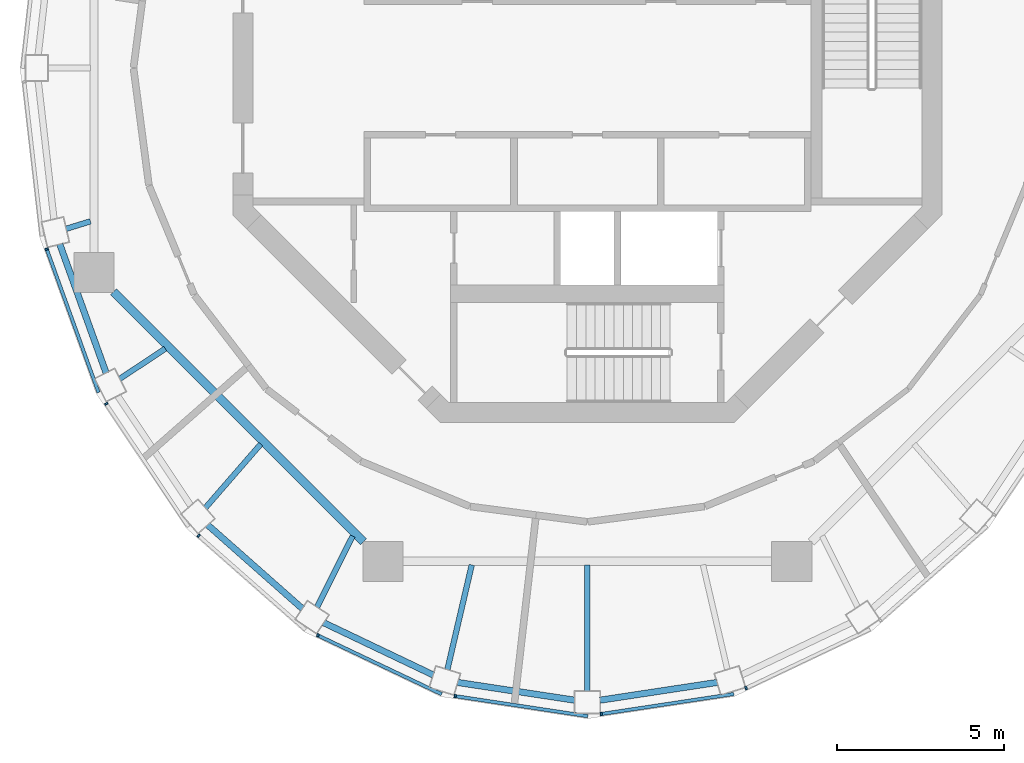
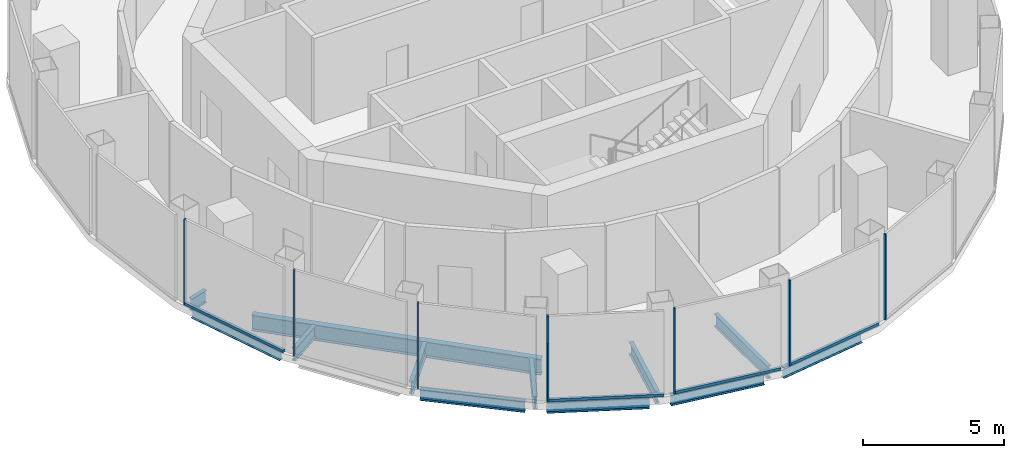
# One storey, part 2 of 11: 12 beams, 11 members, 7 elements without a shape of their own.
"""IFC4 building model written with IfcOpenShell, lengths in metres."""

import ifcopenshell
import ifcopenshell.guid

model = None  # the IFC model being written
_history = None  # IfcOwnerHistory: only IFC2X3 demands one
_inside = {}  # id of a spatial element -> (the spatial element, [elements in it])
_under = {}  # id of a project, library or spatial element -> (it, [spatial elements below it])
_declared = {}  # id of a project -> (the project, [libraries it declares])
_typed = {}  # id of a type object -> (the type object, [elements of that type])
_made_of = {}  # id of a material, layer set ... -> (it, [elements and type objects made of it])


def new_model(schema):
    """Start an empty IFC model of exactly this schema.

    Asked for "IFC4X3", IfcOpenShell would pick the latest addendum, in which some entities
    have other attributes; the version numbers below select the first issue.
    IFC2X3 requires an IfcOwnerHistory on every rooted entity: one is made here for all.
    """
    global model, _history
    if schema == "IFC4X3":
        model = ifcopenshell.file(schema_version=(4, 3, 0, 0))
    else:
        model = ifcopenshell.file(schema=schema)
    _inside.clear()
    _under.clear()
    _declared.clear()
    _typed.clear()
    _made_of.clear()
    _history = None
    if model.schema == "IFC2X3":
        org = make("IfcOrganization", Name="unknown")
        user = make(
            "IfcPersonAndOrganization",
            ThePerson=make("IfcPerson", FamilyName="unknown"),
            TheOrganization=org,
        )
        app = make(
            "IfcApplication",
            ApplicationDeveloper=org,
            Version="unknown",
            ApplicationFullName="unknown",
            ApplicationIdentifier="unknown",
        )
        _history = make(
            "IfcOwnerHistory",
            OwningUser=user,
            OwningApplication=app,
            ChangeAction="ADDED",
            CreationDate=0,
        )
    return model


def make(cls, **values):
    """One entity of the class cls with the attributes given. An attribute that is None is left unset."""
    return model.create_entity(
        cls, **{name: value for name, value in values.items() if value is not None}
    )


def rooted(cls, **values):
    """An entity with a GlobalId (a new one), such as an element, a storey or a relation."""
    return make(cls, GlobalId=ifcopenshell.guid.new(), OwnerHistory=_history, **values)


def si_unit(unit_type, name, prefix=None):
    """IfcSIUnit, for example si_unit("LENGTHUNIT", "METRE", prefix="MILLI")."""
    return make("IfcSIUnit", UnitType=unit_type, Prefix=prefix, Name=name)


def assignment(units):
    """IfcUnitAssignment: the units of a project."""
    return None if units is None else make("IfcUnitAssignment", Units=units)


def point(xyz):
    """IfcCartesianPoint."""
    return None if xyz is None else make("IfcCartesianPoint", Coordinates=xyz)


def direction(xyz):
    """IfcDirection."""
    return None if xyz is None else make("IfcDirection", DirectionRatios=xyz)


def frame(location, z_axis=None, x_axis=None):
    """IfcAxis2Placement3D, a coordinate frame: its origin and axes. An axis left out is left unset."""
    return make(
        "IfcAxis2Placement3D",
        Location=point(location),
        Axis=direction(z_axis),
        RefDirection=direction(x_axis),
    )


def frame_2d(location, x_axis=None):
    """IfcAxis2Placement2D, a coordinate frame in the plane: its origin and x axis."""
    return make(
        "IfcAxis2Placement2D", Location=point(location), RefDirection=direction(x_axis)
    )


def origin():
    """The frame at (0, 0, 0) with its axes left unset."""
    return frame((0.0, 0.0, 0.0))


def origin_2d():
    """The frame at (0, 0) in the plane with its x axis left unset."""
    return frame_2d((0.0, 0.0))


def place(relative_to, where):
    """IfcLocalPlacement: puts the frame where relative to a parent placement (None: the world)."""
    return make(
        "IfcLocalPlacement", PlacementRelTo=relative_to, RelativePlacement=where
    )


def context(
    kind, dimensions, precision=None, world=None, true_north=None, identifier=None
):
    """IfcGeometricRepresentationContext, for example the 3D "Model" context."""
    return make(
        "IfcGeometricRepresentationContext",
        ContextIdentifier=identifier,
        ContextType=kind,
        CoordinateSpaceDimension=dimensions,
        Precision=precision,
        WorldCoordinateSystem=world,
        TrueNorth=true_north,
    )


def subcontext(parent, identifier, kind, view, scale=None):
    """IfcGeometricRepresentationSubContext, for example "Body" below "Model"."""
    return make(
        "IfcGeometricRepresentationSubContext",
        ContextIdentifier=identifier,
        ContextType=kind,
        ParentContext=parent,
        TargetScale=scale,
        TargetView=view,
    )


def project(units=None, contexts=None):
    """IfcProject with its units and contexts."""
    return rooted(
        "IfcProject",
        Name="project",
        RepresentationContexts=contexts,
        UnitsInContext=assignment(units),
    )


def spatial(cls, under=None, at=None, **own):
    """A site, building, storey or space (cls), placed at a placement, below another one or the project."""
    s = rooted(cls, ObjectPlacement=at, **own)
    if under is not None:
        _under.setdefault(under.id(), (under, []))[1].append(s)
    return s


def profile(cls, at=None, kind="AREA", **sizes):
    """A parametric profile (cls). Its sizes go by their IFC names, for example OverallWidth=200.0."""
    return make(cls, ProfileType=kind, Position=at, **sizes)


def rectangle(**sizes):
    """IfcRectangleProfileDef."""
    return profile("IfcRectangleProfileDef", **sizes)


def i_section(**sizes):
    """IfcIShapeProfileDef."""
    return profile("IfcIShapeProfileDef", **sizes)


def extrude(swept, where, along, depth):
    """IfcExtrudedAreaSolid: the profile swept, set in the frame where, extruded along a direction by depth."""
    return make(
        "IfcExtrudedAreaSolid",
        SweptArea=swept,
        Position=where,
        ExtrudedDirection=direction(along),
        Depth=depth,
    )


def shape(context_of_items, identifier, shape_type, items):
    """IfcShapeRepresentation: the items that make up one representation, for example the "Body"."""
    return make(
        "IfcShapeRepresentation",
        ContextOfItems=context_of_items,
        RepresentationIdentifier=identifier,
        RepresentationType=shape_type,
        Items=items,
    )


def material(Name=None, Category=None):
    """IfcMaterial."""
    return make("IfcMaterial", Name=Name, Category=Category)


def layer(
    of_material, thickness, ventilated=None, Name=None, Category=None, Priority=None
):
    """IfcMaterialLayer: one layer of a wall or slab, of a material (None: an air gap)."""
    return make(
        "IfcMaterialLayer",
        Material=of_material,
        LayerThickness=thickness,
        IsVentilated=ventilated,
        Name=Name,
        Category=Category,
        Priority=Priority,
    )


def layer_set(layers, Name=None):
    """IfcMaterialLayerSet."""
    return make("IfcMaterialLayerSet", MaterialLayers=layers, LayerSetName=Name)


def material_profile(
    of_material, cross_section, Name=None, Category=None, Priority=None
):
    """IfcMaterialProfile: a cross section and its material."""
    return make(
        "IfcMaterialProfile",
        Name=Name,
        Material=of_material,
        Profile=cross_section,
        Priority=Priority,
        Category=Category,
    )


def profile_set(profiles, Name=None, composite=None):
    """IfcMaterialProfileSet."""
    return make(
        "IfcMaterialProfileSet",
        Name=Name,
        MaterialProfiles=profiles,
        CompositeProfile=composite,
    )


def made_of(thing, what):
    """Note that an element or type object is made of a material, layer set ...; save() writes the relation."""
    if what is not None:
        _made_of.setdefault(what.id(), (what, []))[1].append(thing)
    return thing


def type_object(cls, material=None, **own):
    """A type object (cls), such as IfcWallType, which elements share."""
    return made_of(rooted(cls, **own), material)


def element(
    cls,
    number,
    at=None,
    inside=None,
    cuts=None,
    type_object=None,
    material=None,
    context=None,
    identifier="Body",
    shape_type=None,
    held_by="IfcProductDefinitionShape",
    body=None,
    shapes=None,
    **own,
):
    """One element of the class cls, such as IfcWall. Its Tag is "e" and its number.

    at: its placement. inside: the storey or other place that contains it. cuts: it is an
    opening in that element (IfcRelVoidsElement). A single representation is given by context,
    identifier, shape_type and body (its items); several are given by shapes. held_by: the class
    of the entity that holds the representations. save() writes the other relations.
    """
    e = rooted(cls, Tag="e%d" % number, ObjectPlacement=at, **own)
    if body is not None:
        shapes = [shape(context, identifier, shape_type, body)]
    if shapes is not None:
        e.Representation = make(held_by, Representations=shapes)
    if inside is not None:
        _inside.setdefault(inside.id(), (inside, []))[1].append(e)
    if cuts is not None:
        rooted(
            "IfcRelVoidsElement", RelatingBuildingElement=cuts, RelatedOpeningElement=e
        )
    if type_object is not None:
        _typed.setdefault(type_object.id(), (type_object, []))[1].append(e)
    return made_of(e, material)


def aggregate(whole, parts):
    """IfcRelAggregates: a whole, such as a stair, and the parts it consists of."""
    return rooted("IfcRelAggregates", RelatingObject=whole, RelatedObjects=parts)


def save(model, path):
    """Write the relations noted so far, then the file.

    IfcRelAggregates (storeys below a building ...), IfcRelContainedInSpatialStructure (elements
    in a storey), IfcRelDefinesByType, IfcRelAssociatesMaterial and IfcRelDeclares: one each for
    every whole, place, type object, material and project.
    """
    for whole, parts in _under.values():
        aggregate(whole, parts)
    for where, things in _inside.values():
        rooted(
            "IfcRelContainedInSpatialStructure",
            RelatedElements=things,
            RelatingStructure=where,
        )
    for kind, things in _typed.values():
        rooted("IfcRelDefinesByType", RelatedObjects=things, RelatingType=kind)
    for what, things in _made_of.values():
        rooted("IfcRelAssociatesMaterial", RelatedObjects=things, RelatingMaterial=what)
    for by, libraries in _declared.values():
        rooted("IfcRelDeclares", RelatingContext=by, RelatedDefinitions=libraries)
    model.write(path)


model = new_model("IFC4")

# Units and contexts
model_context = context("Model", 3, precision=1e-05, world=origin(), true_north=direction((0.0, 1.0)))
body_context = subcontext(model_context, "Body", "Model", "MODEL_VIEW")
ifc_project = project(units=[si_unit("LENGTHUNIT", "METRE"), si_unit("AREAUNIT", "SQUARE_METRE"), si_unit("VOLUMEUNIT", "CUBIC_METRE"), si_unit("PLANEANGLEUNIT", "RADIAN"), si_unit("MASSUNIT", "GRAM", prefix="KILO")], contexts=[model_context])

# Site, building, storey
site_placement = place(None, origin())
site = spatial("IfcSite", under=ifc_project, at=site_placement, CompositionType="ELEMENT")
building_placement = place(site_placement, origin())
building = spatial("IfcBuilding", under=site, at=building_placement, Name="Nagisa Residences", CompositionType="ELEMENT")
storey_placement = place(building_placement, frame((0.0, 0.0, 336.89990234375)))
storey = spatial("IfcBuildingStorey", under=building, at=storey_placement, Name="L83", CompositionType="ELEMENT", Elevation=336.89990234375)

# Curtain wall, member
ifc_material_1 = material(Name="Aluminium curtain wall system", Category="aluminium")
ifc_layer = layer(ifc_material_1, 0.159912109375)
ifc_layer_set = layer_set([ifc_layer], Name="CW5 CURTAIN WALL")
curtain_wall_type = type_object("IfcCurtainWallType", Name="CW5 CURTAIN WALL", PredefinedType="NOTDEFINED", material=ifc_layer_set)
curtain_wall_1_placement = place(storey_placement, origin())
curtain_wall_1 = element("IfcCurtainWall", 1, at=curtain_wall_1_placement, inside=storey, type_object=curtain_wall_type, Name="cw:CW5:L83:13", PredefinedType="NOTDEFINED")
ifc_material_2 = material(Name="Aluminium", Category="aluminium")
ifc_material_profile_1 = material_profile(ifc_material_2, rectangle(XDim=0.10009765625, YDim=0.06005859375, at=origin_2d()), Name="CW5 MULLION 100x60")
ifc_profile_set_1 = profile_set([ifc_material_profile_1], Name="Aluminium")
member_type_1 = type_object("IfcMemberType", Name="CW5 MULLION 100x60", PredefinedType="MULLION", material=ifc_profile_set_1)
member_1_placement = place(storey_placement, frame((-16.199462890625, -5.42431640625, 0.0), z_axis=(0.0, 0.0, 1.0), x_axis=(0.940554456033, 0.339642923136, 0.0)))
member_1 = element("IfcMember", 2, at=member_1_placement, type_object=member_type_1, Name="CW5 mullion", PredefinedType="MULLION", context=body_context, shape_type="SweptSolid", body=[
    extrude(rectangle(XDim=0.10009765625, YDim=0.06005859375, at=origin_2d()), origin(), (0.0, 0.0, 1.0), 3.7001953125),
])

curtain_wall_2_placement = place(storey_placement, origin())
curtain_wall_2 = element("IfcCurtainWall", 3, at=curtain_wall_2_placement, inside=storey, type_object=curtain_wall_type, Name="cw:CW5:L83:14", PredefinedType="NOTDEFINED")
member_2_placement = place(storey_placement, frame((-14.416748046875, -10.06298828125, 0.0), z_axis=(0.0, 0.0, 1.0), x_axis=(0.831172662415, 0.556014393027, 0.0)))
member_2 = element("IfcMember", 4, at=member_2_placement, type_object=member_type_1, Name="CW5 mullion", PredefinedType="MULLION", context=body_context, shape_type="SweptSolid", body=[
    extrude(rectangle(XDim=0.10009765625, YDim=0.06005859375, at=origin_2d()), origin(), (0.0, 0.0, 1.0), 3.7001953125),
])
aggregate(curtain_wall_2, [member_2])

curtain_wall_3_placement = place(storey_placement, origin())
curtain_wall_3 = element("IfcCurtainWall", 5, at=curtain_wall_3_placement, inside=storey, type_object=curtain_wall_type, Name="cw:CW5:L83:15", PredefinedType="NOTDEFINED")
member_3_placement = place(storey_placement, frame((-11.645263671875, -14.0126953125, 0.0), z_axis=(0.0, 0.0, 1.0), x_axis=(0.660699467703, 0.750650526795, 0.0)))
member_3 = element("IfcMember", 6, at=member_3_placement, type_object=member_type_1, Name="CW5 mullion", PredefinedType="MULLION", context=body_context, shape_type="SweptSolid", body=[
    extrude(rectangle(XDim=0.10009765625, YDim=0.06005859375, at=origin_2d()), origin(), (0.0, 0.0, 1.0), 3.7001953125),
])
aggregate(curtain_wall_3, [member_3])

curtain_wall_4_placement = place(storey_placement, origin())
curtain_wall_4 = element("IfcCurtainWall", 7, at=curtain_wall_4_placement, inside=storey, type_object=curtain_wall_type, Name="cw:CW5:L83:16", PredefinedType="NOTDEFINED")
member_4_placement = place(storey_placement, frame((-8.077392578125, -16.999755859375, 0.0), z_axis=(0.0, 0.0, 1.0), x_axis=(0.429150642757, 0.903232929992, 0.0)))
member_4 = element("IfcMember", 8, at=member_4_placement, type_object=member_type_1, Name="CW5 mullion", PredefinedType="MULLION", context=body_context, shape_type="SweptSolid", body=[
    extrude(rectangle(XDim=0.10009765625, YDim=0.06005859375, at=origin_2d()), origin(), (0.0, 0.0, 1.0), 3.7001953125),
])

curtain_wall_5_placement = place(storey_placement, origin())
curtain_wall_5 = element("IfcCurtainWall", 9, at=curtain_wall_5_placement, inside=storey, type_object=curtain_wall_type, Name="cw:CW5:L83:17", PredefinedType="NOTDEFINED")
member_5_placement = place(storey_placement, frame((-3.962890625, -18.820556640625, 0.0), z_axis=(0.0, 0.0, 1.0), x_axis=(0.149320135997, 0.988788904158, 0.0)))
member_5 = element("IfcMember", 10, at=member_5_placement, type_object=member_type_1, Name="CW5 mullion", PredefinedType="MULLION", context=body_context, shape_type="SweptSolid", body=[
    extrude(rectangle(XDim=0.10009765625, YDim=0.06005859375, at=origin_2d()), origin(), (0.0, 0.0, 1.0), 3.7001953125),
])

curtain_wall_6_placement = place(storey_placement, origin())
curtain_wall_6 = element("IfcCurtainWall", 11, at=curtain_wall_6_placement, inside=storey, type_object=curtain_wall_type, Name="cw:CW5:L83:18", PredefinedType="NOTDEFINED")
member_6_placement = place(storey_placement, frame((0.413330078125, -19.356689453125, 0.0), z_axis=(0.0, 0.0, 1.0), x_axis=(-0.149320135997, 0.988788904158, 0.0)))
member_6 = element("IfcMember", 12, at=member_6_placement, type_object=member_type_1, Name="CW5 mullion", PredefinedType="MULLION", context=body_context, shape_type="SweptSolid", body=[
    extrude(rectangle(XDim=0.10009765625, YDim=0.06005859375, at=origin_2d()), origin(), (0.0, 0.0, 1.0), 3.7001953125),
])

curtain_wall_7_placement = place(storey_placement, origin())
curtain_wall_7 = element("IfcCurtainWall", 13, at=curtain_wall_7_placement, inside=storey, type_object=curtain_wall_type, Name="cw:CW5:L83:19", PredefinedType="NOTDEFINED")
member_7_placement = place(storey_placement, frame((4.75390625, -18.578857421875, 0.0), z_axis=(0.0, 0.0, 1.0), x_axis=(-0.429150642757, 0.903232929992, 0.0)))
member_7 = element("IfcMember", 14, at=member_7_placement, type_object=member_type_1, Name="CW5 mullion", PredefinedType="MULLION", context=body_context, shape_type="SweptSolid", body=[
    extrude(rectangle(XDim=0.10009765625, YDim=0.06005859375, at=origin_2d()), origin(), (0.0, 0.0, 1.0), 3.7001953125),
])
aggregate(curtain_wall_7, [member_7])

# Member
ifc_material_3 = material(Name="Aluminium", Category="aluminium")
ifc_material_profile_2 = material_profile(ifc_material_3, rectangle(XDim=0.10009765625, YDim=0.1201171875, at=origin_2d()), Name="CW5 TRANSOM 100x120")
ifc_profile_set_2 = profile_set([ifc_material_profile_2], Name="Aluminium")
member_type_2 = type_object("IfcMemberType", Name="CW5 TRANSOM 100x120", PredefinedType="USERDEFINED", material=ifc_profile_set_2)
member_8_placement = place(storey_placement, frame((-16.209716796875, -5.39599609375, 0.06005859375), z_axis=(0.339645767878, -0.940553428766, 0.0), x_axis=(0.940553428766, 0.339645767878, 0.0)))
member_8 = element("IfcMember", 15, at=member_8_placement, type_object=member_type_2, Name="CW5 transom", ObjectType="TRANSOM", PredefinedType="USERDEFINED", context=body_context, shape_type="SweptSolid", body=[
    extrude(rectangle(XDim=0.10009765625, YDim=0.1201171875, at=origin_2d()), origin(), (0.0, 0.0, 1.0), 4.600341796875),
])

aggregate(curtain_wall_1, [member_1, member_8])

member_9_placement = place(storey_placement, frame((-8.1044921875, -16.98681640625, 0.06005859375), z_axis=(0.903246073132, -0.429122979309, 0.0), x_axis=(0.429122979309, 0.903246073132, 0.0)))
member_9 = element("IfcMember", 16, at=member_9_placement, type_object=member_type_2, Name="CW5 transom", ObjectType="TRANSOM", PredefinedType="USERDEFINED", context=body_context, shape_type="SweptSolid", body=[
    extrude(rectangle(XDim=0.10009765625, YDim=0.1201171875, at=origin_2d()), origin(), (0.0, 0.0, 1.0), 4.1396484375),
])

aggregate(curtain_wall_4, [member_4, member_9])

member_10_placement = place(storey_placement, frame((-3.992431640625, -18.816162109375, 0.06005859375), z_axis=(0.988788172803, -0.149324978907, 0.0), x_axis=(0.149324978907, 0.988788172803, 0.0)))
member_10 = element("IfcMember", 17, at=member_10_placement, type_object=member_type_2, Name="CW5 transom", ObjectType="TRANSOM", PredefinedType="USERDEFINED", context=body_context, shape_type="SweptSolid", body=[
    extrude(rectangle(XDim=0.10009765625, YDim=0.1201171875, at=origin_2d()), origin(), (0.0, 0.0, 1.0), 4.0498046875),
])

aggregate(curtain_wall_5, [member_5, member_10])

member_11_placement = place(storey_placement, frame((0.383544921875, -19.361083984375, 0.06005859375), z_axis=(0.988788172803, 0.149324978907, 0.0), x_axis=(-0.149324978907, 0.988788172803, 0.0)))
member_11 = element("IfcMember", 18, at=member_11_placement, type_object=member_type_2, Name="CW5 transom", ObjectType="TRANSOM", PredefinedType="USERDEFINED", context=body_context, shape_type="SweptSolid", body=[
    extrude(rectangle(XDim=0.10009765625, YDim=0.1201171875, at=origin_2d()), origin(), (0.0, 0.0, 1.0), 4.0498046875),
])

aggregate(curtain_wall_6, [member_6, member_11])

# Beams
ifc_material_4 = material(Name="Steel ASTM A572 Gr 50", Category="steel")
ifc_material_profile_3 = material_profile(ifc_material_4, i_section(OverallWidth=0.2529296875, OverallDepth=0.677978515625, WebThickness=0.01171875, FlangeThickness=0.016357421875, at=origin_2d()), Name="W690x125")
ifc_profile_set_3 = profile_set([ifc_material_profile_3], Name="Steel ASTM A572 Gr 50")
beam_type_1 = type_object("IfcBeamType", Name="Inner ring beam W690x125", PredefinedType="BEAM", material=ifc_profile_set_3)
beam_1_placement = place(storey_placement, frame((-14.1962890625, -6.708740234375, -0.638916015625), z_axis=(0.707106781187, -0.707106781187, 0.0), x_axis=(0.707106781187, 0.707106781187, 0.0)))
element("IfcBeam", 19, at=beam_1_placement, inside=storey, type_object=beam_type_1, Name="beam:L83:ib5", PredefinedType="BEAM", context=body_context, shape_type="SweptSolid", body=[
    extrude(i_section(OverallWidth=0.2529296875, OverallDepth=0.677978515625, WebThickness=0.01171875, FlangeThickness=0.016357421875, at=origin_2d()), origin(), (0.0, 0.0, 1.0), 10.589111328125),
])
ifc_material_5 = material(Name="Steel ASTM A572 Gr 50", Category="steel")
ifc_material_profile_4 = material_profile(ifc_material_5, i_section(OverallWidth=0.18994140625, OverallDepth=0.45703125, WebThickness=0.009033203125, FlangeThickness=0.014404296875, at=origin_2d()), Name="W460x74")
ifc_profile_set_4 = profile_set([ifc_material_profile_4], Name="Steel ASTM A572 Gr 50")
beam_type_2 = type_object("IfcBeamType", Name="Perimeter ring beam W460x74", PredefinedType="BEAM", material=ifc_profile_set_4)
beam_2_placement = place(storey_placement, frame((-15.808349609375, -5.277587890625, -0.5283203125), z_axis=(0.338517252251, -0.940960185092, 0.0), x_axis=(0.940960185092, 0.338517252251, 0.0)))
element("IfcBeam", 20, at=beam_2_placement, inside=storey, type_object=beam_type_2, Name="beam:L83:pb14", PredefinedType="BEAM", context=body_context, shape_type="SweptSolid", body=[
    extrude(i_section(OverallWidth=0.18994140625, OverallDepth=0.45703125, WebThickness=0.009033203125, FlangeThickness=0.014404296875, at=origin_2d()), origin(), (0.0, 0.0, 1.0), 4.1044921875),
])
beam_3_placement = place(storey_placement, frame((-11.3798828125, -13.68896484375, -0.5283203125), z_axis=(0.749401876552, -0.662115418503, 0.0), x_axis=(0.662115418503, 0.749401876552, 0.0)))
element("IfcBeam", 21, at=beam_3_placement, inside=storey, type_object=beam_type_2, Name="beam:L83:pb16", PredefinedType="BEAM", context=body_context, shape_type="SweptSolid", body=[
    extrude(i_section(OverallWidth=0.18994140625, OverallDepth=0.45703125, WebThickness=0.009033203125, FlangeThickness=0.014404296875, at=origin_2d()), origin(), (0.0, 0.0, 1.0), 3.792724609375),
])
beam_4_placement = place(storey_placement, frame((-7.903564453125, -16.619873046875, -0.5283203125), z_axis=(0.902613702305, -0.430451512266, 0.0), x_axis=(0.430451512266, 0.902613702305, 0.0)))
element("IfcBeam", 22, at=beam_4_placement, inside=storey, type_object=beam_type_2, Name="beam:L83:pb17", PredefinedType="BEAM", context=body_context, shape_type="SweptSolid", body=[
    extrude(i_section(OverallWidth=0.18994140625, OverallDepth=0.45703125, WebThickness=0.009033203125, FlangeThickness=0.014404296875, at=origin_2d()), origin(), (0.0, 0.0, 1.0), 3.640625),
])
for number, where, z_axis, x_axis, name in (
    (23, (-3.890380859375, -18.41015625, -0.5283203125), (0.988700067025, -0.149907229525, 0.0), (0.149907229525, 0.988700067025, 0.0), "beam:L83:pb18"),
    (24, (0.380126953125, -18.9423828125, -0.5283203125), (0.988700067025, 0.149907229525, 0.0), (-0.149907229525, 0.988700067025, 0.0), "beam:L83:pb19"),
):
    element("IfcBeam", number, at=place(storey_placement, frame(where, z_axis=z_axis, x_axis=x_axis)), inside=storey, type_object=beam_type_2, Name=name, PredefinedType="BEAM", context=body_context, shape_type="SweptSolid", body=[
        extrude(i_section(OverallWidth=0.18994140625, OverallDepth=0.45703125, WebThickness=0.009033203125, FlangeThickness=0.014404296875, at=origin_2d()), origin(), (0.0, 0.0, 1.0), 3.55029296875),
    ])
ifc_material_6 = material(Name="Steel ASTM A572 Gr 50", Category="steel")
ifc_material_profile_5 = material_profile(ifc_material_6, i_section(OverallWidth=0.166015625, OverallDepth=0.534912109375, WebThickness=0.01025390625, FlangeThickness=0.0166015625, at=origin_2d()), Name="W530x85")
ifc_profile_set_5 = profile_set([ifc_material_profile_5], Name="Steel ASTM A572 Gr 50")
beam_type_3 = type_object("IfcBeamType", Name="Radial beam W530x85", PredefinedType="BEAM", material=ifc_profile_set_5)
beam_5_placement = place(storey_placement, frame((-15.62158203125, -4.820068359375, -0.5673828125), z_axis=(0.955489220567, 0.295026014753, 0.0), x_axis=(-0.295026014753, 0.955489220567, 0.0)))
element("IfcBeam", 25, at=beam_5_placement, inside=storey, type_object=beam_type_3, Name="beam:L83:rb14", PredefinedType="BEAM", context=body_context, shape_type="SweptSolid", body=[
    extrude(i_section(OverallWidth=0.166015625, OverallDepth=0.534912109375, WebThickness=0.01025390625, FlangeThickness=0.0166015625, at=origin_2d()), origin(), (0.0, 0.0, 1.0), 0.766357421875),
])
beam_6_placement = place(storey_placement, frame((-14.012451171875, -9.31591796875, -0.5673828125), z_axis=(0.832714310154, 0.553702878505, 0.0), x_axis=(-0.553702878505, 0.832714310154, 0.0)))
element("IfcBeam", 26, at=beam_6_placement, inside=storey, type_object=beam_type_3, Name="beam:L83:rb15", PredefinedType="BEAM", context=body_context, shape_type="SweptSolid", body=[
    extrude(i_section(OverallWidth=0.166015625, OverallDepth=0.534912109375, WebThickness=0.01025390625, FlangeThickness=0.0166015625, at=origin_2d()), origin(), (0.0, 0.0, 1.0), 1.638916015625),
])
beam_7_placement = place(storey_placement, frame((-11.44873046875, -13.183349609375, -0.5673828125), z_axis=(0.655718438616, 0.755005516045, 0.0), x_axis=(-0.755005516045, 0.655718438616, 0.0)))
element("IfcBeam", 27, at=beam_7_placement, inside=storey, type_object=beam_type_3, Name="beam:L83:rb16", PredefinedType="BEAM", context=body_context, shape_type="SweptSolid", body=[
    extrude(i_section(OverallWidth=0.166015625, OverallDepth=0.534912109375, WebThickness=0.01025390625, FlangeThickness=0.0166015625, at=origin_2d()), origin(), (0.0, 0.0, 1.0), 2.53515625),
])
beam_8_placement = place(storey_placement, frame((-8.10107421875, -16.1572265625, -0.5673828125), z_axis=(0.448236908276, 0.893914802461, 0.0), x_axis=(-0.893914802461, 0.448236908276, 0.0)))
element("IfcBeam", 28, at=beam_8_placement, inside=storey, type_object=beam_type_3, Name="beam:L83:rb17", PredefinedType="BEAM", context=body_context, shape_type="SweptSolid", body=[
    extrude(i_section(OverallWidth=0.166015625, OverallDepth=0.534912109375, WebThickness=0.01025390625, FlangeThickness=0.0166015625, at=origin_2d()), origin(), (0.0, 0.0, 1.0), 2.385009765625),
])
beam_9_placement = place(storey_placement, frame((-4.195556640625, -18.0302734375, -0.5673828125), z_axis=(0.226650446588, 0.973976167604, 0.0), x_axis=(-0.973976167604, 0.226650446588, 0.0)))
element("IfcBeam", 29, at=beam_9_placement, inside=storey, type_object=beam_type_3, Name="beam:L83:rb18", PredefinedType="BEAM", context=body_context, shape_type="SweptSolid", body=[
    extrude(i_section(OverallWidth=0.166015625, OverallDepth=0.534912109375, WebThickness=0.01025390625, FlangeThickness=0.0166015625, at=origin_2d()), origin(), (0.0, 0.0, 1.0), 3.22509765625),
])
beam_10_placement = place(storey_placement, frame((0.0, -18.669921875, -0.5673828125), z_axis=(0.0, 1.0, 0.0), x_axis=(-1.0, 0.0, 0.0)))
element("IfcBeam", 30, at=beam_10_placement, inside=storey, type_object=beam_type_3, Name="beam:L83:rb19", PredefinedType="BEAM", context=body_context, shape_type="SweptSolid", body=[
    extrude(i_section(OverallWidth=0.166015625, OverallDepth=0.534912109375, WebThickness=0.01025390625, FlangeThickness=0.0166015625, at=origin_2d()), origin(), (0.0, 0.0, 1.0), 3.78125),
])

save(model, "model.ifc")
